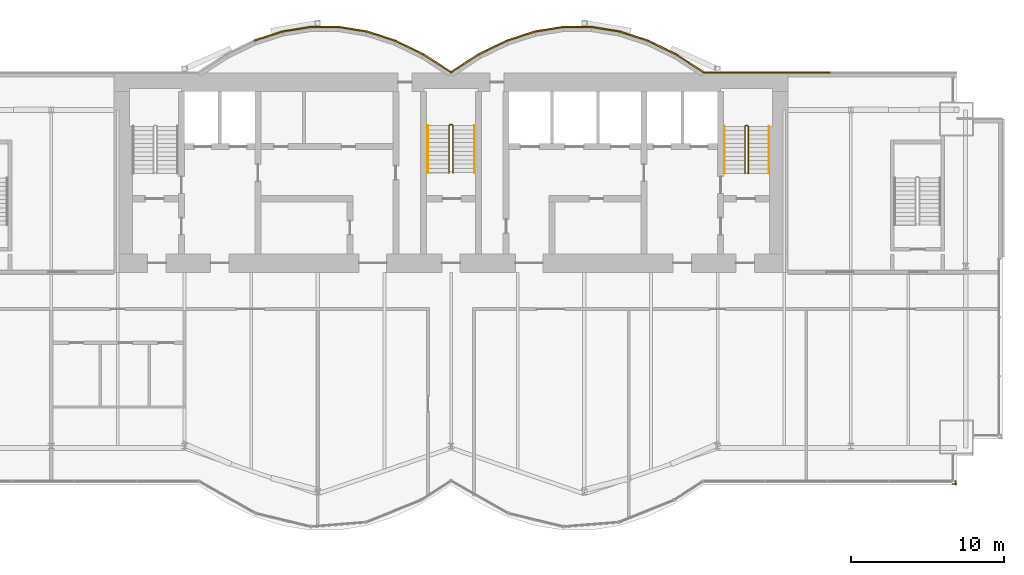
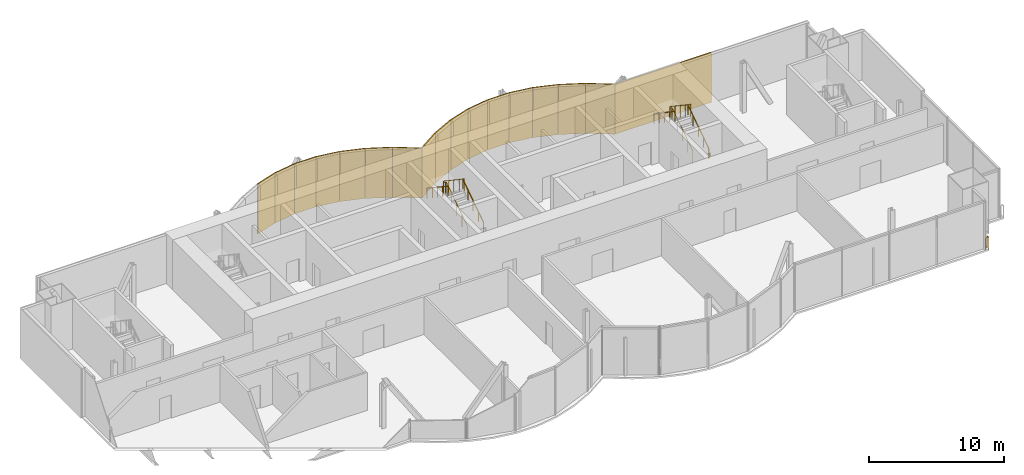
# One storey, part 17 of 18: 17 coverings, 7 railings.
"""IFC4 building model written with IfcOpenShell, lengths in metres."""

from ifc_helpers import new_model, si_unit, direction, frame, origin, origin_2d, place, context, subcontext, project, spatial, rectangle, circle, extrude, material, layer, layer_set, type_object, element, save


model = new_model("IFC4")

# Units and contexts
model_context = context("Model", 3, precision=1e-05, world=origin(), true_north=direction((0.0, 1.0)))
body_context = subcontext(model_context, "Body", "Model", "MODEL_VIEW")
ifc_project = project(units=[si_unit("LENGTHUNIT", "METRE"), si_unit("AREAUNIT", "SQUARE_METRE"), si_unit("VOLUMEUNIT", "CUBIC_METRE"), si_unit("PLANEANGLEUNIT", "RADIAN"), si_unit("MASSUNIT", "GRAM", prefix="KILO")], contexts=[model_context])

# Site, building, storey
site_placement = place(None, origin())
site = spatial("IfcSite", under=ifc_project, at=site_placement, CompositionType="ELEMENT")
building_placement = place(site_placement, origin())
building = spatial("IfcBuilding", under=site, at=building_placement, Name="Bicima Exchange Tower", CompositionType="ELEMENT")
storey_placement = place(building_placement, frame((0.0, 0.0, 302.0)))
storey = spatial("IfcBuildingStorey", under=building, at=storey_placement, Name="L68", CompositionType="ELEMENT", Elevation=302.0)

# Coverings
ifc_material_1 = material(Name="Bronze metal cladding")
ifc_layer_1 = layer(ifc_material_1, 0.004)
ifc_material_2 = material(Name="Ventilated cavity")
ifc_layer_2 = layer(ifc_material_2, 0.06)
ifc_material_3 = material(Name="Galvanised steel rail and mineral wool", Category="steel")
ifc_layer_3 = layer(ifc_material_3, 0.036)
ifc_layer_set = layer_set([ifc_layer_1, ifc_layer_2, ifc_layer_3], Name="Ventilated cavity")
covering_type = type_object("IfcCoveringType", Name="Bronze metal cladding panel 100", PredefinedType="CLADDING", material=ifc_layer_set)
covering_1_placement = place(storey_placement, frame((20.625, 0.050048828125, -0.14990234375), z_axis=(0.0, 0.0, 1.0), x_axis=(-1.0, 0.0, 0.0)))
element("IfcCovering", 1, at=covering_1_placement, inside=storey, type_object=covering_type, Name="Bronze cladding L68 1.2", PredefinedType="CLADDING", context=body_context, shape_type="SweptSolid", body=[
    extrude(rectangle(XDim=8.25, YDim=0.10009765625, at=origin_2d()), origin(), (0.0, 0.0, 1.0), 4.5),
])
covering_2_placement = place(storey_placement, frame((15.610595703125, 0.634521484375, -0.14990234375), z_axis=(0.0, 0.0, 1.0), x_axis=(-0.839790466384, 0.542910648791, 0.0)))
element("IfcCovering", 2, at=covering_2_placement, inside=storey, type_object=covering_type, Name="Bronze cladding L68 2.1", PredefinedType="CLADDING", context=body_context, shape_type="SweptSolid", body=[
    extrude(rectangle(XDim=2.18310546875, YDim=0.10009765625, at=origin_2d()), origin(), (0.0, 0.0, 1.0), 4.5),
])
covering_3_placement = place(storey_placement, frame((13.771728515625, 1.674560546875, -0.14990234375), z_axis=(0.0, 0.0, 1.0), x_axis=(-0.899818346812, 0.436264762204, 0.0)))
element("IfcCovering", 3, at=covering_3_placement, inside=storey, type_object=covering_type, Name="Bronze cladding L68 3.1", PredefinedType="CLADDING", context=body_context, shape_type="SweptSolid", body=[
    extrude(rectangle(XDim=2.03759765625, YDim=0.10009765625, at=origin_2d()), origin(), (0.0, 0.0, 1.0), 4.5),
])
covering_4_placement = place(storey_placement, frame((11.931884765625, 2.41796875, -0.14990234375), z_axis=(0.0, 0.0, 1.0), x_axis=(-0.951524642381, 0.307572519808, 0.0)))
element("IfcCovering", 4, at=covering_4_placement, inside=storey, type_object=covering_type, Name="Bronze cladding L68 4.1", PredefinedType="CLADDING", context=body_context, shape_type="SweptSolid", body=[
    extrude(rectangle(XDim=1.9267578125, YDim=0.10009765625, at=origin_2d()), origin(), (0.0, 0.0, 1.0), 4.5),
])
covering_5_placement = place(storey_placement, frame((10.09130859375, 2.8642578125, -0.14990234375), z_axis=(0.0, 0.0, 1.0), x_axis=(-0.987189786347, 0.159550386184, 0.0)))
element("IfcCovering", 5, at=covering_5_placement, inside=storey, type_object=covering_type, Name="Bronze cladding L68 5.1", PredefinedType="CLADDING", context=body_context, shape_type="SweptSolid", body=[
    extrude(rectangle(XDim=1.857177734375, YDim=0.10009765625, at=origin_2d()), origin(), (0.0, 0.0, 1.0), 4.5),
])
covering_6_placement = place(storey_placement, frame((8.25, 3.012939453125, -0.14990234375), z_axis=(0.0, 0.0, 1.0), x_axis=(-1.0, 0.0, 0.0)))
element("IfcCovering", 6, at=covering_6_placement, inside=storey, type_object=covering_type, Name="Bronze cladding L68 6.1", PredefinedType="CLADDING", context=body_context, shape_type="SweptSolid", body=[
    extrude(rectangle(XDim=1.83349609375, YDim=0.10009765625, at=origin_2d()), origin(), (0.0, 0.0, 1.0), 4.5),
])
covering_7_placement = place(storey_placement, frame((6.40869140625, 2.8642578125, -0.14990234375), z_axis=(0.0, 0.0, 1.0), x_axis=(-0.987189786347, -0.159550386184, 0.0)))
element("IfcCovering", 7, at=covering_7_placement, inside=storey, type_object=covering_type, Name="Bronze cladding L68 7.1", PredefinedType="CLADDING", context=body_context, shape_type="SweptSolid", body=[
    extrude(rectangle(XDim=1.857177734375, YDim=0.10009765625, at=origin_2d()), origin(), (0.0, 0.0, 1.0), 4.5),
])
covering_8_placement = place(storey_placement, frame((4.568115234375, 2.41796875, -0.14990234375), z_axis=(0.0, 0.0, 1.0), x_axis=(-0.951524642381, -0.307572519808, 0.0)))
element("IfcCovering", 8, at=covering_8_placement, inside=storey, type_object=covering_type, Name="Bronze cladding L68 8.1", PredefinedType="CLADDING", context=body_context, shape_type="SweptSolid", body=[
    extrude(rectangle(XDim=1.9267578125, YDim=0.10009765625, at=origin_2d()), origin(), (0.0, 0.0, 1.0), 4.5),
])
covering_9_placement = place(storey_placement, frame((2.728271484375, 1.674560546875, -0.14990234375), z_axis=(0.0, 0.0, 1.0), x_axis=(-0.899818346812, -0.436264762204, 0.0)))
element("IfcCovering", 9, at=covering_9_placement, inside=storey, type_object=covering_type, Name="Bronze cladding L68 9.1", PredefinedType="CLADDING", context=body_context, shape_type="SweptSolid", body=[
    extrude(rectangle(XDim=2.03759765625, YDim=0.10009765625, at=origin_2d()), origin(), (0.0, 0.0, 1.0), 4.5),
])
for number, where, z_axis, x_axis, name in (
    (10, (0.889404296875, 0.634521484375, -0.14990234375), (0.0, 0.0, 1.0), (-0.839790466384, -0.542910648791, 0.0), "Bronze cladding L68 10.1"),
    (11, (-0.889404296875, 0.634521484375, -0.14990234375), (0.0, 0.0, 1.0), (-0.839790466384, 0.542910648791, 0.0), "Bronze cladding L68 11.1"),
):
    element("IfcCovering", number, at=place(storey_placement, frame(where, z_axis=z_axis, x_axis=x_axis)), inside=storey, type_object=covering_type, Name=name, PredefinedType="CLADDING", context=body_context, shape_type="SweptSolid", body=[
        extrude(rectangle(XDim=2.18310546875, YDim=0.10009765625, at=origin_2d()), origin(), (0.0, 0.0, 1.0), 4.5),
    ])
covering_10_placement = place(storey_placement, frame((-2.728271484375, 1.674560546875, -0.14990234375), z_axis=(0.0, 0.0, 1.0), x_axis=(-0.899818346812, 0.436264762204, 0.0)))
element("IfcCovering", 12, at=covering_10_placement, inside=storey, type_object=covering_type, Name="Bronze cladding L68 12.1", PredefinedType="CLADDING", context=body_context, shape_type="SweptSolid", body=[
    extrude(rectangle(XDim=2.03759765625, YDim=0.10009765625, at=origin_2d()), origin(), (0.0, 0.0, 1.0), 4.5),
])
covering_11_placement = place(storey_placement, frame((-4.568115234375, 2.41796875, -0.14990234375), z_axis=(0.0, 0.0, 1.0), x_axis=(-0.951524642381, 0.307572519808, 0.0)))
element("IfcCovering", 13, at=covering_11_placement, inside=storey, type_object=covering_type, Name="Bronze cladding L68 13.1", PredefinedType="CLADDING", context=body_context, shape_type="SweptSolid", body=[
    extrude(rectangle(XDim=1.9267578125, YDim=0.10009765625, at=origin_2d()), origin(), (0.0, 0.0, 1.0), 4.5),
])
covering_12_placement = place(storey_placement, frame((-6.40869140625, 2.8642578125, -0.14990234375), z_axis=(0.0, 0.0, 1.0), x_axis=(-0.987189786347, 0.159550386184, 0.0)))
element("IfcCovering", 14, at=covering_12_placement, inside=storey, type_object=covering_type, Name="Bronze cladding L68 14.1", PredefinedType="CLADDING", context=body_context, shape_type="SweptSolid", body=[
    extrude(rectangle(XDim=1.857177734375, YDim=0.10009765625, at=origin_2d()), origin(), (0.0, 0.0, 1.0), 4.5),
])
covering_13_placement = place(storey_placement, frame((-8.25, 3.012939453125, -0.14990234375), z_axis=(0.0, 0.0, 1.0), x_axis=(-1.0, 0.0, 0.0)))
element("IfcCovering", 15, at=covering_13_placement, inside=storey, type_object=covering_type, Name="Bronze cladding L68 15.1", PredefinedType="CLADDING", context=body_context, shape_type="SweptSolid", body=[
    extrude(rectangle(XDim=1.83349609375, YDim=0.10009765625, at=origin_2d()), origin(), (0.0, 0.0, 1.0), 4.5),
])
covering_14_placement = place(storey_placement, frame((-10.09130859375, 2.8642578125, -0.14990234375), z_axis=(0.0, 0.0, 1.0), x_axis=(-0.987189786347, -0.159550386184, 0.0)))
element("IfcCovering", 16, at=covering_14_placement, inside=storey, type_object=covering_type, Name="Bronze cladding L68 16.1", PredefinedType="CLADDING", context=body_context, shape_type="SweptSolid", body=[
    extrude(rectangle(XDim=1.857177734375, YDim=0.10009765625, at=origin_2d()), origin(), (0.0, 0.0, 1.0), 4.5),
])
covering_15_placement = place(storey_placement, frame((-11.931884765625, 2.41796875, -0.14990234375), z_axis=(0.0, 0.0, 1.0), x_axis=(-0.951524642381, -0.307572519808, 0.0)))
element("IfcCovering", 17, at=covering_15_placement, inside=storey, type_object=covering_type, Name="Bronze cladding L68 17.1", PredefinedType="CLADDING", context=body_context, shape_type="SweptSolid", body=[
    extrude(rectangle(XDim=1.9267578125, YDim=0.10009765625, at=origin_2d()), origin(), (0.0, 0.0, 1.0), 4.5),
])

# Railings
ifc_material_4 = material(Name="Stainless steel and bonded safety glass", Category="steel")
railing_type_1 = type_object("IfcRailingType", Name="Edge guard 1100", PredefinedType="GUARDRAIL", material=ifc_material_4)
railing_1_placement = place(storey_placement, frame((32.949951171875, -26.634033203125, 0.0)))
element("IfcRailing", 18, at=railing_1_placement, inside=storey, type_object=railing_type_1, Name="Edge guard L68 352", PredefinedType="GUARDRAIL", context=body_context, shape_type="SweptSolid", body=[
    extrude(circle(Radius=0.02392578125, at=origin_2d()), frame((0.0, 0.0, 1.076171875), z_axis=(0.0, -1.0, 0.0), x_axis=(1.0, 0.0, 0.0)), (0.0, 0.0, 1.0), 0.238037109375),
    extrude(circle(Radius=0.02392578125, at=origin_2d()), frame((0.0, -0.238037109375, 1.076171875), z_axis=(0.707106781187, 0.707106781187, 0.0), x_axis=(-0.707106781187, 0.707106781187, 0.0)), (0.0, 0.0, 1.0), 0.07080078125),
    extrude(circle(Radius=0.02392578125, at=origin_2d()), frame((0.050048828125, -0.18798828125, 1.076171875), z_axis=(-1.0, 0.0, 0.0), x_axis=(0.0, -1.0, 0.0)), (0.0, 0.0, 1.0), 0.25),
    extrude(circle(Radius=0.02099609375, at=origin_2d()), origin(), (0.0, 0.0, 1.0), 1.052001953125),
    extrude(circle(Radius=0.02099609375, at=origin_2d()), frame((0.0, -0.238037109375, 0.0)), (0.0, 0.0, 1.0), 1.052001953125),
    extrude(circle(Radius=0.02099609375, at=origin_2d()), frame((0.050048828125, -0.18798828125, 0.0)), (0.0, 0.0, 1.0), 1.052001953125),
    extrude(circle(Radius=0.02099609375, at=origin_2d()), frame((-0.199951171875, -0.18798828125, 0.0)), (0.0, 0.0, 1.0), 1.052001953125),
])
ifc_material_5 = material(Name="Stainless steel", Category="steel")
railing_type_2 = type_object("IfcRailingType", Name="Stair guard 1100", PredefinedType="GUARDRAIL", material=ifc_material_5)
railing_2_placement = place(storey_placement, frame((0.125, -6.5, 0.1875)))
element("IfcRailing", 19, at=railing_2_placement, inside=storey, type_object=railing_type_2, Name="L68 ST-C stair guard 1", PredefinedType="GUARDRAIL", context=body_context, shape_type="SweptSolid", body=[
    extrude(circle(Radius=0.02392578125, at=origin_2d()), frame((0.0, 0.0, 1.076171875), z_axis=(0.0, 0.830913701846, 0.55640131208), x_axis=(-1.0, 0.0, 0.0)), (0.0, 0.0, 1.0), 3.706787109375),
    extrude(circle(Radius=0.02392578125, at=origin_2d()), frame((0.0, 3.080078125, 3.138671875), z_axis=(-0.708833529934, 0.705375805398, 0.0), x_axis=(-0.705375805398, -0.708833529934, 0.0)), (0.0, 0.0, 1.0), 0.070556640625),
    extrude(circle(Radius=0.02392578125, at=origin_2d()), frame((-0.050048828125, 3.1298828125, 3.138671875), z_axis=(-1.0, 0.0, 0.0), x_axis=(0.0, -1.0, 0.0)), (0.0, 0.0, 1.0), 0.14990234375),
    extrude(circle(Radius=0.02392578125, at=origin_2d()), frame((-0.199951171875, 3.1298828125, 3.138671875), z_axis=(-0.249802250048, -0.248583702486, 0.935844527007), x_axis=(0.705375805398, -0.708833529934, 0.0)), (0.0, 0.0, 1.0), 0.200439453125),
    extrude(circle(Radius=0.02392578125, at=origin_2d()), frame((-0.25, 3.080078125, 3.326171875), z_axis=(0.0, -0.830913701846, 0.55640131208), x_axis=(1.0, 0.0, 0.0)), (0.0, 0.0, 1.0), 3.706787109375),
    extrude(circle(Radius=0.02099609375, at=origin_2d()), origin(), (0.0, 0.0, 1.0), 1.052001953125),
    extrude(circle(Radius=0.02099609375, at=origin_2d()), frame((0.0, 0.77001953125, 0.515625)), (0.0, 0.0, 1.0), 1.052001953125),
    extrude(circle(Radius=0.02099609375, at=origin_2d()), frame((0.0, 1.5400390625, 1.03125)), (0.0, 0.0, 1.0), 1.052001953125),
    extrude(circle(Radius=0.02099609375, at=origin_2d()), frame((0.0, 2.31005859375, 1.546875)), (0.0, 0.0, 1.0), 1.052001953125),
    extrude(circle(Radius=0.02099609375, at=origin_2d()), frame((0.0, 3.080078125, 2.0625)), (0.0, 0.0, 1.0), 1.052001953125),
    extrude(circle(Radius=0.02099609375, at=origin_2d()), frame((-0.050048828125, 3.1298828125, 2.0625)), (0.0, 0.0, 1.0), 1.052001953125),
    extrude(circle(Radius=0.02099609375, at=origin_2d()), frame((-0.199951171875, 3.1298828125, 2.0625)), (0.0, 0.0, 1.0), 1.052001953125),
    extrude(circle(Radius=0.02099609375, at=origin_2d()), frame((-0.25, 3.080078125, 2.25)), (0.0, 0.0, 1.0), 1.052001953125),
    extrude(circle(Radius=0.02099609375, at=origin_2d()), frame((-0.25, 2.31005859375, 2.765625)), (0.0, 0.0, 1.0), 1.052001953125),
    extrude(circle(Radius=0.02099609375, at=origin_2d()), frame((-0.25, 1.5400390625, 3.28125)), (0.0, 0.0, 1.0), 1.052001953125),
    extrude(circle(Radius=0.02099609375, at=origin_2d()), frame((-0.25, 0.77001953125, 3.796875)), (0.0, 0.0, 1.0), 1.052001953125),
    extrude(circle(Radius=0.02099609375, at=origin_2d()), frame((-0.25, 0.0, 4.3125)), (0.0, 0.0, 1.0), 1.052001953125),
])
railing_3_placement = place(storey_placement, frame((19.39990234375, -6.550048828125, 0.1875)))
element("IfcRailing", 20, at=railing_3_placement, inside=storey, type_object=railing_type_2, Name="L68 ST-E stair guard 1", PredefinedType="GUARDRAIL", context=body_context, shape_type="SweptSolid", body=[
    extrude(circle(Radius=0.02392578125, at=origin_2d()), frame((0.0, 0.0, 1.076171875), z_axis=(0.0, 0.830913701846, 0.55640131208), x_axis=(-1.0, 0.0, 0.0)), (0.0, 0.0, 1.0), 3.706787109375),
    extrude(circle(Radius=0.02392578125, at=origin_2d()), frame((0.0, 3.080078125, 3.138671875), z_axis=(-0.705375805398, 0.708833529934, 0.0), x_axis=(-0.708833529934, -0.705375805398, 0.0)), (0.0, 0.0, 1.0), 0.070556640625),
    extrude(circle(Radius=0.02392578125, at=origin_2d()), frame((-0.0498046875, 3.130126953125, 3.138671875), z_axis=(-1.0, 0.0, 0.0), x_axis=(0.0, -1.0, 0.0)), (0.0, 0.0, 1.0), 0.10009765625),
    extrude(circle(Radius=0.02392578125, at=origin_2d()), frame((-0.14990234375, 3.130126953125, 3.138671875), z_axis=(-0.249726431254, -0.249726431254, 0.935560483917), x_axis=(0.707106781187, -0.707106781187, 0.0)), (0.0, 0.0, 1.0), 0.200439453125),
    extrude(circle(Radius=0.02392578125, at=origin_2d()), frame((-0.199951171875, 3.080078125, 3.326171875), z_axis=(0.0, -0.830913701846, 0.55640131208), x_axis=(1.0, 0.0, 0.0)), (0.0, 0.0, 1.0), 3.706787109375),
    extrude(circle(Radius=0.02099609375, at=origin_2d()), origin(), (0.0, 0.0, 1.0), 1.052001953125),
    extrude(circle(Radius=0.02099609375, at=origin_2d()), frame((0.0, 0.77001953125, 0.515625)), (0.0, 0.0, 1.0), 1.052001953125),
    extrude(circle(Radius=0.02099609375, at=origin_2d()), frame((0.0, 1.5400390625, 1.03125)), (0.0, 0.0, 1.0), 1.052001953125),
    extrude(circle(Radius=0.02099609375, at=origin_2d()), frame((0.0, 2.31005859375, 1.546875)), (0.0, 0.0, 1.0), 1.052001953125),
    extrude(circle(Radius=0.02099609375, at=origin_2d()), frame((0.0, 3.080078125, 2.0625)), (0.0, 0.0, 1.0), 1.052001953125),
    extrude(circle(Radius=0.02099609375, at=origin_2d()), frame((-0.0498046875, 3.130126953125, 2.0625)), (0.0, 0.0, 1.0), 1.052001953125),
    extrude(circle(Radius=0.02099609375, at=origin_2d()), frame((-0.14990234375, 3.130126953125, 2.0625)), (0.0, 0.0, 1.0), 1.052001953125),
    extrude(circle(Radius=0.02099609375, at=origin_2d()), frame((-0.199951171875, 3.080078125, 2.25)), (0.0, 0.0, 1.0), 1.052001953125),
    extrude(circle(Radius=0.02099609375, at=origin_2d()), frame((-0.199951171875, 2.31005859375, 2.765625)), (0.0, 0.0, 1.0), 1.052001953125),
    extrude(circle(Radius=0.02099609375, at=origin_2d()), frame((-0.199951171875, 1.5400390625, 3.28125)), (0.0, 0.0, 1.0), 1.052001953125),
    extrude(circle(Radius=0.02099609375, at=origin_2d()), frame((-0.199951171875, 0.77001953125, 3.796875)), (0.0, 0.0, 1.0), 1.052001953125),
    extrude(circle(Radius=0.02099609375, at=origin_2d()), frame((-0.199951171875, 0.0, 4.3125)), (0.0, 0.0, 1.0), 1.052001953125),
])
railing_type_3 = type_object("IfcRailingType", Name="Stair handrail 900", PredefinedType="HANDRAIL", material=ifc_material_5)
railing_4_placement = place(storey_placement, frame((1.52490234375, -6.5, 0.1875)))
element("IfcRailing", 21, at=railing_4_placement, inside=storey, type_object=railing_type_3, Name="L68 ST-C stair handrail 1", PredefinedType="HANDRAIL", context=body_context, shape_type="SweptSolid", body=[
    extrude(circle(Radius=0.02392578125, at=origin_2d()), frame((0.0, 0.0, 0.8759765625), z_axis=(0.0, 0.830913701846, 0.55640131208), x_axis=(-1.0, 0.0, 0.0)), (0.0, 0.0, 1.0), 3.706787109375),
    extrude(circle(Radius=0.02099609375, at=origin_2d()), origin(), (0.0, 0.0, 1.0), 0.851806640625),
    extrude(circle(Radius=0.02099609375, at=origin_2d()), frame((0.0, 0.77001953125, 0.515625)), (0.0, 0.0, 1.0), 0.851806640625),
    extrude(circle(Radius=0.02099609375, at=origin_2d()), frame((0.0, 1.5400390625, 1.03125)), (0.0, 0.0, 1.0), 0.851806640625),
    extrude(circle(Radius=0.02099609375, at=origin_2d()), frame((0.0, 2.31005859375, 1.546875)), (0.0, 0.0, 1.0), 0.851806640625),
    extrude(circle(Radius=0.02099609375, at=origin_2d()), frame((0.0, 3.080078125, 2.0625)), (0.0, 0.0, 1.0), 0.851806640625),
])
railing_5_placement = place(storey_placement, frame((-1.52490234375, -3.419921875, 2.47900390625)))
element("IfcRailing", 22, at=railing_5_placement, inside=storey, type_object=railing_type_3, Name="L68 ST-C stair handrail 2", PredefinedType="HANDRAIL", context=body_context, shape_type="SweptSolid", body=[
    extrude(circle(Radius=0.02392578125, at=origin_2d()), frame((0.0, 0.0, 0.8759765625), z_axis=(0.0, -0.830913701846, 0.55640131208), x_axis=(1.0, 0.0, 0.0)), (0.0, 0.0, 1.0), 3.706787109375),
    extrude(circle(Radius=0.02099609375, at=origin_2d()), origin(), (0.0, 0.0, 1.0), 0.851806640625),
    extrude(circle(Radius=0.02099609375, at=origin_2d()), frame((0.0, -0.77001953125, 0.515625)), (0.0, 0.0, 1.0), 0.851806640625),
    extrude(circle(Radius=0.02099609375, at=origin_2d()), frame((0.0, -1.5400390625, 1.03125)), (0.0, 0.0, 1.0), 0.851806640625),
    extrude(circle(Radius=0.02099609375, at=origin_2d()), frame((0.0, -2.31005859375, 1.546875)), (0.0, 0.0, 1.0), 0.851806640625),
    extrude(circle(Radius=0.02099609375, at=origin_2d()), frame((0.0, -3.080078125, 2.0625)), (0.0, 0.0, 1.0), 0.851806640625),
])
railing_6_placement = place(storey_placement, frame((20.75, -6.550048828125, 0.1875)))
element("IfcRailing", 23, at=railing_6_placement, inside=storey, type_object=railing_type_3, Name="L68 ST-E stair handrail 1", PredefinedType="HANDRAIL", context=body_context, shape_type="SweptSolid", body=[
    extrude(circle(Radius=0.02392578125, at=origin_2d()), frame((0.0, 0.0, 0.8759765625), z_axis=(0.0, 0.830913701846, 0.55640131208), x_axis=(-1.0, 0.0, 0.0)), (0.0, 0.0, 1.0), 3.706787109375),
    extrude(circle(Radius=0.02099609375, at=origin_2d()), origin(), (0.0, 0.0, 1.0), 0.851806640625),
    extrude(circle(Radius=0.02099609375, at=origin_2d()), frame((0.0, 0.77001953125, 0.515625)), (0.0, 0.0, 1.0), 0.851806640625),
    extrude(circle(Radius=0.02099609375, at=origin_2d()), frame((0.0, 1.5400390625, 1.03125)), (0.0, 0.0, 1.0), 0.851806640625),
    extrude(circle(Radius=0.02099609375, at=origin_2d()), frame((0.0, 2.31005859375, 1.546875)), (0.0, 0.0, 1.0), 0.851806640625),
    extrude(circle(Radius=0.02099609375, at=origin_2d()), frame((0.0, 3.080078125, 2.0625)), (0.0, 0.0, 1.0), 0.851806640625),
])
railing_7_placement = place(storey_placement, frame((17.85009765625, -3.469970703125, 2.47900390625)))
element("IfcRailing", 24, at=railing_7_placement, inside=storey, type_object=railing_type_3, Name="L68 ST-E stair handrail 2", PredefinedType="HANDRAIL", context=body_context, shape_type="SweptSolid", body=[
    extrude(circle(Radius=0.02392578125, at=origin_2d()), frame((0.0, 0.0, 0.8759765625), z_axis=(0.0, -0.830913701846, 0.55640131208), x_axis=(1.0, 0.0, 0.0)), (0.0, 0.0, 1.0), 3.706787109375),
    extrude(circle(Radius=0.02099609375, at=origin_2d()), origin(), (0.0, 0.0, 1.0), 0.851806640625),
    extrude(circle(Radius=0.02099609375, at=origin_2d()), frame((0.0, -0.77001953125, 0.515625)), (0.0, 0.0, 1.0), 0.851806640625),
    extrude(circle(Radius=0.02099609375, at=origin_2d()), frame((0.0, -1.5400390625, 1.03125)), (0.0, 0.0, 1.0), 0.851806640625),
    extrude(circle(Radius=0.02099609375, at=origin_2d()), frame((0.0, -2.31005859375, 1.546875)), (0.0, 0.0, 1.0), 0.851806640625),
    extrude(circle(Radius=0.02099609375, at=origin_2d()), frame((0.0, -3.080078125, 2.0625)), (0.0, 0.0, 1.0), 0.851806640625),
])

save(model, "model.ifc")
